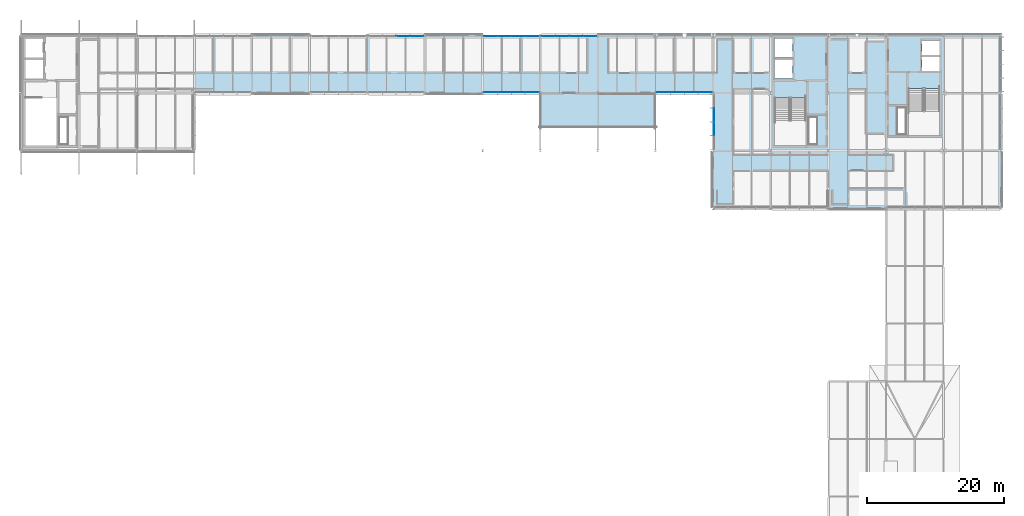
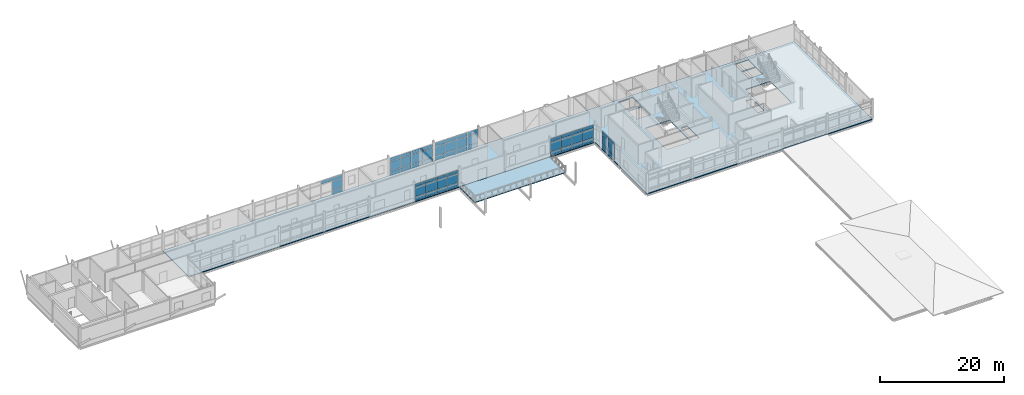
# One storey, part 43 of 57: 58 plates, 2 slabs, 6 elements without a shape of their own.
"""IFC4 building model written with IfcOpenShell, lengths in metres."""

from ifc_helpers import new_model, si_unit, direction, frame, origin, origin_2d, place, context, subcontext, project, spatial, polyline, rectangle, outline, extrude, material, layer, layer_set, type_object, element, aggregate, save


model = new_model("IFC4")

# Units and contexts
model_context = context("Model", 3, precision=1e-05, world=origin(), true_north=direction((0.0, 1.0)))
body_context = subcontext(model_context, "Body", "Model", "MODEL_VIEW")
ifc_project = project(units=[si_unit("LENGTHUNIT", "METRE"), si_unit("AREAUNIT", "SQUARE_METRE"), si_unit("VOLUMEUNIT", "CUBIC_METRE"), si_unit("PLANEANGLEUNIT", "RADIAN"), si_unit("MASSUNIT", "GRAM", prefix="KILO")], contexts=[model_context])

# Site, building, storey
site_placement = place(None, origin())
site = spatial("IfcSite", under=ifc_project, at=site_placement, CompositionType="ELEMENT")
building_placement = place(site_placement, origin())
building = spatial("IfcBuilding", under=site, at=building_placement, Name="Mersafa Astral City Hall", CompositionType="ELEMENT")
storey_placement = place(building_placement, frame((0.0, 0.0, 26.10009765625)))
storey = spatial("IfcBuildingStorey", under=building, at=storey_placement, Name="L06", CompositionType="ELEMENT", Elevation=26.10009765625)

# Curtain wall, plates
ifc_material_1 = material(Name="Anodised bronze aluminium framing", Category="aluminium")
curtain_wall_type_1 = type_object("IfcCurtainWallType", Name="ENV-CW-4", PredefinedType="USERDEFINED", material=ifc_material_1)
curtain_wall_1_placement = place(storey_placement, origin())
curtain_wall_1 = element("IfcCurtainWall", 1, at=curtain_wall_1_placement, inside=storey, type_object=curtain_wall_type_1, Name="L06 Unitised solar curtain wall 249", ObjectType="UNITISED CURTAIN WALL", PredefinedType="USERDEFINED")
ifc_material_2 = material(Name="Solar control low-e double glazing", Category="glass")
ifc_layer_1 = layer(ifc_material_2, 0.031982421875, Name="Solar control low-e double glazing")
ifc_layer_set_1 = layer_set([ifc_layer_1], Name="Solar control low-e double glazing — ENV-CW-PNL-GLZ-2")
plate_type_1 = type_object("IfcPlateType", Name="ENV-CW-PNL-GLZ-2", PredefinedType="CURTAIN_PANEL", material=ifc_layer_set_1)
plate_1_placement = place(storey_placement, frame((135.58642578125, 117.719970703125, 0.05810546875), z_axis=(0.0, 0.0, 1.0), x_axis=(1.0, 0.0, 0.0)))
plate_1 = element("IfcPlate", 2, at=plate_1_placement, type_object=plate_type_1, Name="CW-4 panel 1.1", PredefinedType="CURTAIN_PANEL", context=body_context, shape_type="SweptSolid", body=[
    extrude(rectangle(XDim=1.928955078125, YDim=0.031982421875, at=origin_2d()), origin(), (0.0, 0.0, 1.0), 0.761962890625),
])
plate_2_placement = place(storey_placement, frame((135.58642578125, 117.719970703125, 0.8798828125), z_axis=(0.0, 0.0, 1.0), x_axis=(1.0, 0.0, 0.0)))
plate_2 = element("IfcPlate", 3, at=plate_2_placement, type_object=plate_type_1, Name="CW-4 panel 1.2", PredefinedType="CURTAIN_PANEL", context=body_context, shape_type="SweptSolid", body=[
    extrude(rectangle(XDim=1.928955078125, YDim=0.031982421875, at=origin_2d()), origin(), (0.0, 0.0, 1.0), 1.840087890625),
])
plate_3_placement = place(storey_placement, frame((135.58642578125, 117.719970703125, 2.77978515625), z_axis=(0.0, 0.0, 1.0), x_axis=(1.0, 0.0, 0.0)))
plate_3 = element("IfcPlate", 4, at=plate_3_placement, type_object=plate_type_1, Name="CW-4 panel 1.3", PredefinedType="CURTAIN_PANEL", context=body_context, shape_type="SweptSolid", body=[
    extrude(rectangle(XDim=1.928955078125, YDim=0.031982421875, at=origin_2d()), origin(), (0.0, 0.0, 1.0), 0.592041015625),
])
plate_4_placement = place(storey_placement, frame((137.590576171875, 117.719970703125, 0.05810546875), z_axis=(0.0, 0.0, 1.0), x_axis=(1.0, 0.0, 0.0)))
plate_4 = element("IfcPlate", 5, at=plate_4_placement, type_object=plate_type_1, Name="CW-4 panel 2.1", PredefinedType="CURTAIN_PANEL", context=body_context, shape_type="SweptSolid", body=[
    extrude(rectangle(XDim=1.958984375, YDim=0.031982421875, at=origin_2d()), origin(), (0.0, 0.0, 1.0), 0.761962890625),
])
plate_5_placement = place(storey_placement, frame((137.590576171875, 117.719970703125, 0.8798828125), z_axis=(0.0, 0.0, 1.0), x_axis=(1.0, 0.0, 0.0)))
plate_5 = element("IfcPlate", 6, at=plate_5_placement, type_object=plate_type_1, Name="CW-4 panel 2.2", PredefinedType="CURTAIN_PANEL", context=body_context, shape_type="SweptSolid", body=[
    extrude(rectangle(XDim=1.958984375, YDim=0.031982421875, at=origin_2d()), origin(), (0.0, 0.0, 1.0), 1.840087890625),
])
plate_6_placement = place(storey_placement, frame((137.590576171875, 117.719970703125, 2.77978515625), z_axis=(0.0, 0.0, 1.0), x_axis=(1.0, 0.0, 0.0)))
plate_6 = element("IfcPlate", 7, at=plate_6_placement, type_object=plate_type_1, Name="CW-4 panel 2.3", PredefinedType="CURTAIN_PANEL", context=body_context, shape_type="SweptSolid", body=[
    extrude(rectangle(XDim=1.958984375, YDim=0.031982421875, at=origin_2d()), origin(), (0.0, 0.0, 1.0), 0.592041015625),
])
plate_7_placement = place(storey_placement, frame((139.609619140625, 117.719970703125, 0.05810546875), z_axis=(0.0, 0.0, 1.0), x_axis=(1.0, 0.0, 0.0)))
plate_7 = element("IfcPlate", 8, at=plate_7_placement, type_object=plate_type_1, Name="CW-4 panel 3.1", PredefinedType="CURTAIN_PANEL", context=body_context, shape_type="SweptSolid", body=[
    extrude(rectangle(XDim=1.958984375, YDim=0.031982421875, at=origin_2d()), origin(), (0.0, 0.0, 1.0), 0.761962890625),
])
plate_8_placement = place(storey_placement, frame((139.609619140625, 117.719970703125, 0.8798828125), z_axis=(0.0, 0.0, 1.0), x_axis=(1.0, 0.0, 0.0)))
plate_8 = element("IfcPlate", 9, at=plate_8_placement, type_object=plate_type_1, Name="CW-4 panel 3.2", PredefinedType="CURTAIN_PANEL", context=body_context, shape_type="SweptSolid", body=[
    extrude(rectangle(XDim=1.958984375, YDim=0.031982421875, at=origin_2d()), origin(), (0.0, 0.0, 1.0), 1.840087890625),
])
plate_9_placement = place(storey_placement, frame((139.609619140625, 117.719970703125, 2.77978515625), z_axis=(0.0, 0.0, 1.0), x_axis=(1.0, 0.0, 0.0)))
plate_9 = element("IfcPlate", 10, at=plate_9_placement, type_object=plate_type_1, Name="CW-4 panel 3.3", PredefinedType="CURTAIN_PANEL", context=body_context, shape_type="SweptSolid", body=[
    extrude(rectangle(XDim=1.958984375, YDim=0.031982421875, at=origin_2d()), origin(), (0.0, 0.0, 1.0), 0.592041015625),
])
plate_10_placement = place(storey_placement, frame((141.613525390625, 117.719970703125, 0.05810546875), z_axis=(0.0, 0.0, 1.0), x_axis=(1.0, 0.0, 0.0)))
plate_10 = element("IfcPlate", 11, at=plate_10_placement, type_object=plate_type_1, Name="CW-4 panel 4.1", PredefinedType="CURTAIN_PANEL", context=body_context, shape_type="SweptSolid", body=[
    extrude(rectangle(XDim=1.928955078125, YDim=0.031982421875, at=origin_2d()), origin(), (0.0, 0.0, 1.0), 0.761962890625),
])
plate_11_placement = place(storey_placement, frame((141.613525390625, 117.719970703125, 0.8798828125), z_axis=(0.0, 0.0, 1.0), x_axis=(1.0, 0.0, 0.0)))
plate_11 = element("IfcPlate", 12, at=plate_11_placement, type_object=plate_type_1, Name="CW-4 panel 4.2", PredefinedType="CURTAIN_PANEL", context=body_context, shape_type="SweptSolid", body=[
    extrude(rectangle(XDim=1.928955078125, YDim=0.031982421875, at=origin_2d()), origin(), (0.0, 0.0, 1.0), 1.840087890625),
])
plate_12_placement = place(storey_placement, frame((141.613525390625, 117.719970703125, 2.77978515625), z_axis=(0.0, 0.0, 1.0), x_axis=(1.0, 0.0, 0.0)))
plate_12 = element("IfcPlate", 13, at=plate_12_placement, type_object=plate_type_1, Name="CW-4 panel 4.3", PredefinedType="CURTAIN_PANEL", context=body_context, shape_type="SweptSolid", body=[
    extrude(rectangle(XDim=1.928955078125, YDim=0.031982421875, at=origin_2d()), origin(), (0.0, 0.0, 1.0), 0.592041015625),
])
aggregate(curtain_wall_1, [plate_1, plate_2, plate_3, plate_4, plate_5, plate_6, plate_7, plate_8, plate_9, plate_10, plate_11, plate_12])

curtain_wall_type_2 = type_object("IfcCurtainWallType", Name="ENV-CW-6", PredefinedType="USERDEFINED", material=ifc_material_1)
curtain_wall_2_placement = place(storey_placement, origin())
curtain_wall_2 = element("IfcCurtainWall", 14, at=curtain_wall_2_placement, inside=storey, type_object=curtain_wall_type_2, Name="L06 Unitised solar curtain wall 257", ObjectType="UNITISED CURTAIN WALL", PredefinedType="USERDEFINED")
plate_13_placement = place(storey_placement, frame((124.8134765625, 125.8798828125, 0.05810546875), z_axis=(0.0, 0.0, 1.0), x_axis=(-1.0, 0.0, 0.0)))
plate_13 = element("IfcPlate", 15, at=plate_13_placement, type_object=plate_type_1, Name="CW-6 panel 1.1", PredefinedType="CURTAIN_PANEL", context=body_context, shape_type="SweptSolid", body=[
    extrude(rectangle(XDim=1.928955078125, YDim=0.031982421875, at=origin_2d()), origin(), (0.0, 0.0, 1.0), 0.761962890625),
])
plate_14_placement = place(storey_placement, frame((124.8134765625, 125.8798828125, 0.8798828125), z_axis=(0.0, 0.0, 1.0), x_axis=(-1.0, 0.0, 0.0)))
plate_14 = element("IfcPlate", 16, at=plate_14_placement, type_object=plate_type_1, Name="CW-6 panel 1.2", PredefinedType="CURTAIN_PANEL", context=body_context, shape_type="SweptSolid", body=[
    extrude(rectangle(XDim=1.928955078125, YDim=0.031982421875, at=origin_2d()), origin(), (0.0, 0.0, 1.0), 1.840087890625),
])
plate_15_placement = place(storey_placement, frame((124.8134765625, 125.8798828125, 2.77978515625), z_axis=(0.0, 0.0, 1.0), x_axis=(-1.0, 0.0, 0.0)))
plate_15 = element("IfcPlate", 17, at=plate_15_placement, type_object=plate_type_1, Name="CW-6 panel 1.3", PredefinedType="CURTAIN_PANEL", context=body_context, shape_type="SweptSolid", body=[
    extrude(rectangle(XDim=1.928955078125, YDim=0.031982421875, at=origin_2d()), origin(), (0.0, 0.0, 1.0), 0.701904296875),
])
plate_16_placement = place(storey_placement, frame((122.8095703125, 125.8798828125, 0.05810546875), z_axis=(0.0, 0.0, 1.0), x_axis=(-1.0, 0.0, 0.0)))
plate_16 = element("IfcPlate", 18, at=plate_16_placement, type_object=plate_type_1, Name="CW-6 panel 2.1", PredefinedType="CURTAIN_PANEL", context=body_context, shape_type="SweptSolid", body=[
    extrude(rectangle(XDim=1.958984375, YDim=0.031982421875, at=origin_2d()), origin(), (0.0, 0.0, 1.0), 0.761962890625),
])
plate_17_placement = place(storey_placement, frame((122.8095703125, 125.8798828125, 0.8798828125), z_axis=(0.0, 0.0, 1.0), x_axis=(-1.0, 0.0, 0.0)))
plate_17 = element("IfcPlate", 19, at=plate_17_placement, type_object=plate_type_1, Name="CW-6 panel 2.2", PredefinedType="CURTAIN_PANEL", context=body_context, shape_type="SweptSolid", body=[
    extrude(rectangle(XDim=1.958984375, YDim=0.031982421875, at=origin_2d()), origin(), (0.0, 0.0, 1.0), 1.840087890625),
])
plate_18_placement = place(storey_placement, frame((122.8095703125, 125.8798828125, 2.77978515625), z_axis=(0.0, 0.0, 1.0), x_axis=(-1.0, 0.0, 0.0)))
plate_18 = element("IfcPlate", 20, at=plate_18_placement, type_object=plate_type_1, Name="CW-6 panel 2.3", PredefinedType="CURTAIN_PANEL", context=body_context, shape_type="SweptSolid", body=[
    extrude(rectangle(XDim=1.958984375, YDim=0.031982421875, at=origin_2d()), origin(), (0.0, 0.0, 1.0), 0.701904296875),
])
plate_19_placement = place(storey_placement, frame((120.79052734375, 125.8798828125, 0.05810546875), z_axis=(0.0, 0.0, 1.0), x_axis=(-1.0, 0.0, 0.0)))
plate_19 = element("IfcPlate", 21, at=plate_19_placement, type_object=plate_type_1, Name="CW-6 panel 3.1", PredefinedType="CURTAIN_PANEL", context=body_context, shape_type="SweptSolid", body=[
    extrude(rectangle(XDim=1.958984375, YDim=0.031982421875, at=origin_2d()), origin(), (0.0, 0.0, 1.0), 0.761962890625),
])
plate_20_placement = place(storey_placement, frame((120.79052734375, 125.8798828125, 0.8798828125), z_axis=(0.0, 0.0, 1.0), x_axis=(-1.0, 0.0, 0.0)))
plate_20 = element("IfcPlate", 22, at=plate_20_placement, type_object=plate_type_1, Name="CW-6 panel 3.2", PredefinedType="CURTAIN_PANEL", context=body_context, shape_type="SweptSolid", body=[
    extrude(rectangle(XDim=1.958984375, YDim=0.031982421875, at=origin_2d()), origin(), (0.0, 0.0, 1.0), 1.840087890625),
])
plate_21_placement = place(storey_placement, frame((120.79052734375, 125.8798828125, 2.77978515625), z_axis=(0.0, 0.0, 1.0), x_axis=(-1.0, 0.0, 0.0)))
plate_21 = element("IfcPlate", 23, at=plate_21_placement, type_object=plate_type_1, Name="CW-6 panel 3.3", PredefinedType="CURTAIN_PANEL", context=body_context, shape_type="SweptSolid", body=[
    extrude(rectangle(XDim=1.958984375, YDim=0.031982421875, at=origin_2d()), origin(), (0.0, 0.0, 1.0), 0.701904296875),
])
plate_22_placement = place(storey_placement, frame((118.78662109375, 125.8798828125, 0.05810546875), z_axis=(0.0, 0.0, 1.0), x_axis=(-1.0, 0.0, 0.0)))
plate_22 = element("IfcPlate", 24, at=plate_22_placement, type_object=plate_type_1, Name="CW-6 panel 4.1", PredefinedType="CURTAIN_PANEL", context=body_context, shape_type="SweptSolid", body=[
    extrude(rectangle(XDim=1.928955078125, YDim=0.031982421875, at=origin_2d()), origin(), (0.0, 0.0, 1.0), 0.761962890625),
])
plate_23_placement = place(storey_placement, frame((118.78662109375, 125.8798828125, 0.8798828125), z_axis=(0.0, 0.0, 1.0), x_axis=(-1.0, 0.0, 0.0)))
plate_23 = element("IfcPlate", 25, at=plate_23_placement, type_object=plate_type_1, Name="CW-6 panel 4.2", PredefinedType="CURTAIN_PANEL", context=body_context, shape_type="SweptSolid", body=[
    extrude(rectangle(XDim=1.928955078125, YDim=0.031982421875, at=origin_2d()), origin(), (0.0, 0.0, 1.0), 1.840087890625),
])
plate_24_placement = place(storey_placement, frame((118.78662109375, 125.8798828125, 2.77978515625), z_axis=(0.0, 0.0, 1.0), x_axis=(-1.0, 0.0, 0.0)))
plate_24 = element("IfcPlate", 26, at=plate_24_placement, type_object=plate_type_1, Name="CW-6 panel 4.3", PredefinedType="CURTAIN_PANEL", context=body_context, shape_type="SweptSolid", body=[
    extrude(rectangle(XDim=1.928955078125, YDim=0.031982421875, at=origin_2d()), origin(), (0.0, 0.0, 1.0), 0.701904296875),
])
aggregate(curtain_wall_2, [plate_13, plate_14, plate_15, plate_16, plate_17, plate_18, plate_19, plate_20, plate_21, plate_22, plate_23, plate_24])

curtain_wall_type_3 = type_object("IfcCurtainWallType", Name="ENV-CW-5", PredefinedType="USERDEFINED", material=ifc_material_1)
curtain_wall_3_placement = place(storey_placement, origin())
curtain_wall_3 = element("IfcCurtainWall", 27, at=curtain_wall_3_placement, inside=storey, type_object=curtain_wall_type_3, Name="L06 Unitised solar curtain wall 250", ObjectType="UNITISED CURTAIN WALL", PredefinedType="USERDEFINED")
ifc_layer_2 = layer(ifc_material_2, 0.035888671875, Name="Solar control low-e double glazing")
ifc_layer_set_2 = layer_set([ifc_layer_2], Name="Solar control low-e double glazing — ENV-CW-PNL-GLZ-3")
plate_type_2 = type_object("IfcPlateType", Name="ENV-CW-PNL-GLZ-3", PredefinedType="CURTAIN_PANEL", material=ifc_layer_set_2)
plate_25_placement = place(storey_placement, frame((142.919921875, 114.408203125, 0.05810546875), z_axis=(0.0, 0.0, 1.0), x_axis=(0.0, -1.0, 0.0)))
plate_25 = element("IfcPlate", 28, at=plate_25_placement, type_object=plate_type_2, Name="CW-5 panel 2.1", PredefinedType="CURTAIN_PANEL", context=body_context, shape_type="SweptSolid", body=[
    extrude(rectangle(XDim=1.946533203125, YDim=0.035888671875, at=origin_2d()), origin(), (0.0, 0.0, 1.0), 0.761962890625),
])
plate_26_placement = place(storey_placement, frame((142.919921875, 114.408203125, 0.8798828125), z_axis=(0.0, 0.0, 1.0), x_axis=(0.0, -1.0, 0.0)))
plate_26 = element("IfcPlate", 29, at=plate_26_placement, type_object=plate_type_2, Name="CW-5 panel 2.2", PredefinedType="CURTAIN_PANEL", context=body_context, shape_type="SweptSolid", body=[
    extrude(rectangle(XDim=1.946533203125, YDim=0.035888671875, at=origin_2d()), origin(), (0.0, 0.0, 1.0), 1.840087890625),
])
plate_27_placement = place(storey_placement, frame((142.919921875, 114.408203125, 2.77978515625), z_axis=(0.0, 0.0, 1.0), x_axis=(0.0, -1.0, 0.0)))
plate_27 = element("IfcPlate", 30, at=plate_27_placement, type_object=plate_type_2, Name="CW-5 panel 2.3", PredefinedType="CURTAIN_PANEL", context=body_context, shape_type="SweptSolid", body=[
    extrude(rectangle(XDim=1.946533203125, YDim=0.035888671875, at=origin_2d()), origin(), (0.0, 0.0, 1.0), 0.681884765625),
])
plate_28_placement = place(storey_placement, frame((142.919921875, 112.40185546875, 0.05810546875), z_axis=(0.0, 0.0, 1.0), x_axis=(0.0, -1.0, 0.0)))
plate_28 = element("IfcPlate", 31, at=plate_28_placement, type_object=plate_type_2, Name="CW-5 panel 3.1", PredefinedType="CURTAIN_PANEL", context=body_context, shape_type="SweptSolid", body=[
    extrude(rectangle(XDim=1.946533203125, YDim=0.035888671875, at=origin_2d()), origin(), (0.0, 0.0, 1.0), 0.761962890625),
])
plate_29_placement = place(storey_placement, frame((142.919921875, 112.40185546875, 0.8798828125), z_axis=(0.0, 0.0, 1.0), x_axis=(0.0, -1.0, 0.0)))
plate_29 = element("IfcPlate", 32, at=plate_29_placement, type_object=plate_type_2, Name="CW-5 panel 3.2", PredefinedType="CURTAIN_PANEL", context=body_context, shape_type="SweptSolid", body=[
    extrude(rectangle(XDim=1.946533203125, YDim=0.035888671875, at=origin_2d()), origin(), (0.0, 0.0, 1.0), 1.840087890625),
])
plate_30_placement = place(storey_placement, frame((142.919921875, 112.40185546875, 2.77978515625), z_axis=(0.0, 0.0, 1.0), x_axis=(0.0, -1.0, 0.0)))
plate_30 = element("IfcPlate", 33, at=plate_30_placement, type_object=plate_type_2, Name="CW-5 panel 3.3", PredefinedType="CURTAIN_PANEL", context=body_context, shape_type="SweptSolid", body=[
    extrude(rectangle(XDim=1.946533203125, YDim=0.035888671875, at=origin_2d()), origin(), (0.0, 0.0, 1.0), 0.681884765625),
])
aggregate(curtain_wall_3, [plate_25, plate_26, plate_27, plate_28, plate_29, plate_30])

curtain_wall_type_4 = type_object("IfcCurtainWallType", Name="ENV-CW-1", PredefinedType="USERDEFINED", material=ifc_material_1)
curtain_wall_4_placement = place(storey_placement, origin())
curtain_wall_4 = element("IfcCurtainWall", 34, at=curtain_wall_4_placement, inside=storey, type_object=curtain_wall_type_4, Name="L06 Unitised solar curtain wall 258", ObjectType="UNITISED CURTAIN WALL", PredefinedType="USERDEFINED")
plate_31_placement = place(storey_placement, frame((116.41357421875, 125.8798828125, 0.05810546875), z_axis=(0.0, 0.0, 1.0), x_axis=(-1.0, 0.0, 0.0)))
plate_31 = element("IfcPlate", 35, at=plate_31_placement, type_object=plate_type_2, Name="CW-1 panel 1.1", PredefinedType="CURTAIN_PANEL", context=body_context, shape_type="SweptSolid", body=[
    extrude(rectangle(XDim=1.928955078125, YDim=0.035888671875, at=origin_2d()), origin(), (0.0, 0.0, 1.0), 0.761962890625),
])
plate_32_placement = place(storey_placement, frame((116.41357421875, 125.8798828125, 0.8798828125), z_axis=(0.0, 0.0, 1.0), x_axis=(-1.0, 0.0, 0.0)))
plate_32 = element("IfcPlate", 36, at=plate_32_placement, type_object=plate_type_2, Name="CW-1 panel 1.2", PredefinedType="CURTAIN_PANEL", context=body_context, shape_type="SweptSolid", body=[
    extrude(rectangle(XDim=1.928955078125, YDim=0.035888671875, at=origin_2d()), origin(), (0.0, 0.0, 1.0), 1.840087890625),
])
plate_33_placement = place(storey_placement, frame((116.41357421875, 125.8798828125, 2.77978515625), z_axis=(0.0, 0.0, 1.0), x_axis=(-1.0, 0.0, 0.0)))
plate_33 = element("IfcPlate", 37, at=plate_33_placement, type_object=plate_type_2, Name="CW-1 panel 1.3", PredefinedType="CURTAIN_PANEL", context=body_context, shape_type="SweptSolid", body=[
    extrude(rectangle(XDim=1.928955078125, YDim=0.035888671875, at=origin_2d()), origin(), (0.0, 0.0, 1.0), 0.672119140625),
])
plate_34_placement = place(storey_placement, frame((114.409423828125, 125.8798828125, 0.05810546875), z_axis=(0.0, 0.0, 1.0), x_axis=(-1.0, 0.0, 0.0)))
plate_34 = element("IfcPlate", 38, at=plate_34_placement, type_object=plate_type_2, Name="CW-1 panel 2.1", PredefinedType="CURTAIN_PANEL", context=body_context, shape_type="SweptSolid", body=[
    extrude(rectangle(XDim=1.958984375, YDim=0.035888671875, at=origin_2d()), origin(), (0.0, 0.0, 1.0), 0.761962890625),
])
plate_35_placement = place(storey_placement, frame((114.409423828125, 125.8798828125, 0.8798828125), z_axis=(0.0, 0.0, 1.0), x_axis=(-1.0, 0.0, 0.0)))
plate_35 = element("IfcPlate", 39, at=plate_35_placement, type_object=plate_type_2, Name="CW-1 panel 2.2", PredefinedType="CURTAIN_PANEL", context=body_context, shape_type="SweptSolid", body=[
    extrude(rectangle(XDim=1.958984375, YDim=0.035888671875, at=origin_2d()), origin(), (0.0, 0.0, 1.0), 1.840087890625),
])
plate_36_placement = place(storey_placement, frame((114.409423828125, 125.8798828125, 2.77978515625), z_axis=(0.0, 0.0, 1.0), x_axis=(-1.0, 0.0, 0.0)))
plate_36 = element("IfcPlate", 40, at=plate_36_placement, type_object=plate_type_2, Name="CW-1 panel 2.3", PredefinedType="CURTAIN_PANEL", context=body_context, shape_type="SweptSolid", body=[
    extrude(rectangle(XDim=1.958984375, YDim=0.035888671875, at=origin_2d()), origin(), (0.0, 0.0, 1.0), 0.672119140625),
])
plate_37_placement = place(storey_placement, frame((112.390380859375, 125.8798828125, 0.05810546875), z_axis=(0.0, 0.0, 1.0), x_axis=(-1.0, 0.0, 0.0)))
plate_37 = element("IfcPlate", 41, at=plate_37_placement, type_object=plate_type_2, Name="CW-1 panel 3.1", PredefinedType="CURTAIN_PANEL", context=body_context, shape_type="SweptSolid", body=[
    extrude(rectangle(XDim=1.958984375, YDim=0.035888671875, at=origin_2d()), origin(), (0.0, 0.0, 1.0), 0.761962890625),
])
plate_38_placement = place(storey_placement, frame((112.390380859375, 125.8798828125, 0.8798828125), z_axis=(0.0, 0.0, 1.0), x_axis=(-1.0, 0.0, 0.0)))
plate_38 = element("IfcPlate", 42, at=plate_38_placement, type_object=plate_type_2, Name="CW-1 panel 3.2", PredefinedType="CURTAIN_PANEL", context=body_context, shape_type="SweptSolid", body=[
    extrude(rectangle(XDim=1.958984375, YDim=0.035888671875, at=origin_2d()), origin(), (0.0, 0.0, 1.0), 1.840087890625),
])
plate_39_placement = place(storey_placement, frame((112.390380859375, 125.8798828125, 2.77978515625), z_axis=(0.0, 0.0, 1.0), x_axis=(-1.0, 0.0, 0.0)))
plate_39 = element("IfcPlate", 43, at=plate_39_placement, type_object=plate_type_2, Name="CW-1 panel 3.3", PredefinedType="CURTAIN_PANEL", context=body_context, shape_type="SweptSolid", body=[
    extrude(rectangle(XDim=1.958984375, YDim=0.035888671875, at=origin_2d()), origin(), (0.0, 0.0, 1.0), 0.672119140625),
])
plate_40_placement = place(storey_placement, frame((110.386474609375, 125.8798828125, 0.05810546875), z_axis=(0.0, 0.0, 1.0), x_axis=(-1.0, 0.0, 0.0)))
plate_40 = element("IfcPlate", 44, at=plate_40_placement, type_object=plate_type_2, Name="CW-1 panel 4.1", PredefinedType="CURTAIN_PANEL", context=body_context, shape_type="SweptSolid", body=[
    extrude(rectangle(XDim=1.928955078125, YDim=0.035888671875, at=origin_2d()), origin(), (0.0, 0.0, 1.0), 0.761962890625),
])
plate_41_placement = place(storey_placement, frame((110.386474609375, 125.8798828125, 0.8798828125), z_axis=(0.0, 0.0, 1.0), x_axis=(-1.0, 0.0, 0.0)))
plate_41 = element("IfcPlate", 45, at=plate_41_placement, type_object=plate_type_2, Name="CW-1 panel 4.2", PredefinedType="CURTAIN_PANEL", context=body_context, shape_type="SweptSolid", body=[
    extrude(rectangle(XDim=1.928955078125, YDim=0.035888671875, at=origin_2d()), origin(), (0.0, 0.0, 1.0), 1.840087890625),
])
plate_42_placement = place(storey_placement, frame((110.386474609375, 125.8798828125, 2.77978515625), z_axis=(0.0, 0.0, 1.0), x_axis=(-1.0, 0.0, 0.0)))
plate_42 = element("IfcPlate", 46, at=plate_42_placement, type_object=plate_type_2, Name="CW-1 panel 4.3", PredefinedType="CURTAIN_PANEL", context=body_context, shape_type="SweptSolid", body=[
    extrude(rectangle(XDim=1.928955078125, YDim=0.035888671875, at=origin_2d()), origin(), (0.0, 0.0, 1.0), 0.672119140625),
])
aggregate(curtain_wall_4, [plate_31, plate_32, plate_33, plate_34, plate_35, plate_36, plate_37, plate_38, plate_39, plate_40, plate_41, plate_42])

curtain_wall_type_5 = type_object("IfcCurtainWallType", Name="ENV-CW-2", PredefinedType="USERDEFINED", material=ifc_material_1)
curtain_wall_5_placement = place(storey_placement, origin())
curtain_wall_5 = element("IfcCurtainWall", 47, at=curtain_wall_5_placement, inside=storey, type_object=curtain_wall_type_5, Name="L06 Unitised solar curtain wall 259", ObjectType="UNITISED CURTAIN WALL", PredefinedType="USERDEFINED")
ifc_layer_3 = layer(ifc_material_2, 0.0400390625, Name="Solar control low-e double glazing")
ifc_layer_set_3 = layer_set([ifc_layer_3], Name="Solar control low-e double glazing — ENV-CW-PNL-GLZ-4")
plate_type_3 = type_object("IfcPlateType", Name="ENV-CW-PNL-GLZ-4", PredefinedType="CURTAIN_PANEL", material=ifc_layer_set_3)
plate_43_placement = place(storey_placement, frame((99.613525390625, 125.8798828125, 0.05810546875), z_axis=(0.0, 0.0, 1.0), x_axis=(-1.0, 0.0, 0.0)))
plate_43 = element("IfcPlate", 48, at=plate_43_placement, type_object=plate_type_3, Name="CW-2 panel 1.1", PredefinedType="CURTAIN_PANEL", context=body_context, shape_type="SweptSolid", body=[
    extrude(rectangle(XDim=1.928955078125, YDim=0.0400390625, at=origin_2d()), origin(), (0.0, 0.0, 1.0), 0.761962890625),
])
plate_44_placement = place(storey_placement, frame((99.613525390625, 125.8798828125, 0.8798828125), z_axis=(0.0, 0.0, 1.0), x_axis=(-1.0, 0.0, 0.0)))
plate_44 = element("IfcPlate", 49, at=plate_44_placement, type_object=plate_type_3, Name="CW-2 panel 1.2", PredefinedType="CURTAIN_PANEL", context=body_context, shape_type="SweptSolid", body=[
    extrude(rectangle(XDim=1.928955078125, YDim=0.0400390625, at=origin_2d()), origin(), (0.0, 0.0, 1.0), 1.840087890625),
])
plate_45_placement = place(storey_placement, frame((99.613525390625, 125.8798828125, 2.780029296875), z_axis=(0.0, 0.0, 1.0), x_axis=(-1.0, 0.0, 0.0)))
plate_45 = element("IfcPlate", 50, at=plate_45_placement, type_object=plate_type_3, Name="CW-2 panel 1.3", PredefinedType="CURTAIN_PANEL", context=body_context, shape_type="SweptSolid", body=[
    extrude(rectangle(XDim=1.928955078125, YDim=0.0400390625, at=origin_2d()), origin(), (0.0, 0.0, 1.0), 0.64697265625),
])
plate_46_placement = place(storey_placement, frame((97.609619140625, 125.8798828125, 2.780029296875), z_axis=(0.0, 0.0, 1.0), x_axis=(-1.0, 0.0, 0.0)))
plate_46 = element("IfcPlate", 51, at=plate_46_placement, type_object=plate_type_3, Name="CW-2 panel 2.3", PredefinedType="CURTAIN_PANEL", context=body_context, shape_type="SweptSolid", body=[
    extrude(rectangle(XDim=1.958984375, YDim=0.0400390625, at=origin_2d()), origin(), (0.0, 0.0, 1.0), 0.64697265625),
])
aggregate(curtain_wall_5, [plate_43, plate_44, plate_45, plate_46])

curtain_wall_6_placement = place(storey_placement, origin())
curtain_wall_6 = element("IfcCurtainWall", 52, at=curtain_wall_6_placement, inside=storey, type_object=curtain_wall_type_1, Name="L06 Unitised solar curtain wall 267", ObjectType="UNITISED CURTAIN WALL", PredefinedType="USERDEFINED")
plate_47_placement = place(storey_placement, frame((110.386474609375, 117.719970703125, 0.05810546875), z_axis=(0.0, 0.0, 1.0), x_axis=(1.0, 0.0, 0.0)))
plate_47 = element("IfcPlate", 53, at=plate_47_placement, type_object=plate_type_3, Name="CW-4 panel 1.1", PredefinedType="CURTAIN_PANEL", context=body_context, shape_type="SweptSolid", body=[
    extrude(rectangle(XDim=1.928955078125, YDim=0.0400390625, at=origin_2d()), origin(), (0.0, 0.0, 1.0), 0.761962890625),
])
plate_48_placement = place(storey_placement, frame((110.386474609375, 117.719970703125, 0.8798828125), z_axis=(0.0, 0.0, 1.0), x_axis=(1.0, 0.0, 0.0)))
plate_48 = element("IfcPlate", 54, at=plate_48_placement, type_object=plate_type_3, Name="CW-4 panel 1.2", PredefinedType="CURTAIN_PANEL", context=body_context, shape_type="SweptSolid", body=[
    extrude(rectangle(XDim=1.928955078125, YDim=0.0400390625, at=origin_2d()), origin(), (0.0, 0.0, 1.0), 1.840087890625),
])
plate_49_placement = place(storey_placement, frame((110.386474609375, 117.719970703125, 2.780029296875), z_axis=(0.0, 0.0, 1.0), x_axis=(1.0, 0.0, 0.0)))
plate_49 = element("IfcPlate", 55, at=plate_49_placement, type_object=plate_type_3, Name="CW-4 panel 1.3", PredefinedType="CURTAIN_PANEL", context=body_context, shape_type="SweptSolid", body=[
    extrude(rectangle(XDim=1.928955078125, YDim=0.0400390625, at=origin_2d()), origin(), (0.0, 0.0, 1.0), 0.48193359375),
])
plate_50_placement = place(storey_placement, frame((112.390380859375, 117.719970703125, 0.05810546875), z_axis=(0.0, 0.0, 1.0), x_axis=(1.0, 0.0, 0.0)))
plate_50 = element("IfcPlate", 56, at=plate_50_placement, type_object=plate_type_3, Name="CW-4 panel 2.1", PredefinedType="CURTAIN_PANEL", context=body_context, shape_type="SweptSolid", body=[
    extrude(rectangle(XDim=1.958984375, YDim=0.0400390625, at=origin_2d()), origin(), (0.0, 0.0, 1.0), 0.761962890625),
])
plate_51_placement = place(storey_placement, frame((112.390380859375, 117.719970703125, 0.8798828125), z_axis=(0.0, 0.0, 1.0), x_axis=(1.0, 0.0, 0.0)))
plate_51 = element("IfcPlate", 57, at=plate_51_placement, type_object=plate_type_3, Name="CW-4 panel 2.2", PredefinedType="CURTAIN_PANEL", context=body_context, shape_type="SweptSolid", body=[
    extrude(rectangle(XDim=1.958984375, YDim=0.0400390625, at=origin_2d()), origin(), (0.0, 0.0, 1.0), 1.840087890625),
])
plate_52_placement = place(storey_placement, frame((112.390380859375, 117.719970703125, 2.780029296875), z_axis=(0.0, 0.0, 1.0), x_axis=(1.0, 0.0, 0.0)))
plate_52 = element("IfcPlate", 58, at=plate_52_placement, type_object=plate_type_3, Name="CW-4 panel 2.3", PredefinedType="CURTAIN_PANEL", context=body_context, shape_type="SweptSolid", body=[
    extrude(rectangle(XDim=1.958984375, YDim=0.0400390625, at=origin_2d()), origin(), (0.0, 0.0, 1.0), 0.48193359375),
])
plate_53_placement = place(storey_placement, frame((114.409423828125, 117.719970703125, 0.05810546875), z_axis=(0.0, 0.0, 1.0), x_axis=(1.0, 0.0, 0.0)))
plate_53 = element("IfcPlate", 59, at=plate_53_placement, type_object=plate_type_3, Name="CW-4 panel 3.1", PredefinedType="CURTAIN_PANEL", context=body_context, shape_type="SweptSolid", body=[
    extrude(rectangle(XDim=1.958984375, YDim=0.0400390625, at=origin_2d()), origin(), (0.0, 0.0, 1.0), 0.761962890625),
])
plate_54_placement = place(storey_placement, frame((114.409423828125, 117.719970703125, 0.8798828125), z_axis=(0.0, 0.0, 1.0), x_axis=(1.0, 0.0, 0.0)))
plate_54 = element("IfcPlate", 60, at=plate_54_placement, type_object=plate_type_3, Name="CW-4 panel 3.2", PredefinedType="CURTAIN_PANEL", context=body_context, shape_type="SweptSolid", body=[
    extrude(rectangle(XDim=1.958984375, YDim=0.0400390625, at=origin_2d()), origin(), (0.0, 0.0, 1.0), 1.840087890625),
])
plate_55_placement = place(storey_placement, frame((114.409423828125, 117.719970703125, 2.780029296875), z_axis=(0.0, 0.0, 1.0), x_axis=(1.0, 0.0, 0.0)))
plate_55 = element("IfcPlate", 61, at=plate_55_placement, type_object=plate_type_3, Name="CW-4 panel 3.3", PredefinedType="CURTAIN_PANEL", context=body_context, shape_type="SweptSolid", body=[
    extrude(rectangle(XDim=1.958984375, YDim=0.0400390625, at=origin_2d()), origin(), (0.0, 0.0, 1.0), 0.48193359375),
])
plate_56_placement = place(storey_placement, frame((116.41357421875, 117.719970703125, 0.05810546875), z_axis=(0.0, 0.0, 1.0), x_axis=(1.0, 0.0, 0.0)))
plate_56 = element("IfcPlate", 62, at=plate_56_placement, type_object=plate_type_3, Name="CW-4 panel 4.1", PredefinedType="CURTAIN_PANEL", context=body_context, shape_type="SweptSolid", body=[
    extrude(rectangle(XDim=1.928955078125, YDim=0.0400390625, at=origin_2d()), origin(), (0.0, 0.0, 1.0), 0.761962890625),
])
plate_57_placement = place(storey_placement, frame((116.41357421875, 117.719970703125, 0.8798828125), z_axis=(0.0, 0.0, 1.0), x_axis=(1.0, 0.0, 0.0)))
plate_57 = element("IfcPlate", 63, at=plate_57_placement, type_object=plate_type_3, Name="CW-4 panel 4.2", PredefinedType="CURTAIN_PANEL", context=body_context, shape_type="SweptSolid", body=[
    extrude(rectangle(XDim=1.928955078125, YDim=0.0400390625, at=origin_2d()), origin(), (0.0, 0.0, 1.0), 1.840087890625),
])
plate_58_placement = place(storey_placement, frame((116.41357421875, 117.719970703125, 2.780029296875), z_axis=(0.0, 0.0, 1.0), x_axis=(1.0, 0.0, 0.0)))
plate_58 = element("IfcPlate", 64, at=plate_58_placement, type_object=plate_type_3, Name="CW-4 panel 4.3", PredefinedType="CURTAIN_PANEL", context=body_context, shape_type="SweptSolid", body=[
    extrude(rectangle(XDim=1.928955078125, YDim=0.0400390625, at=origin_2d()), origin(), (0.0, 0.0, 1.0), 0.48193359375),
])
aggregate(curtain_wall_6, [plate_47, plate_48, plate_49, plate_50, plate_51, plate_52, plate_53, plate_54, plate_55, plate_56, plate_57, plate_58])

# Slabs
ifc_material_3 = material(Name="Concrete C35/45", Category="concrete")
ifc_layer_4 = layer(ifc_material_3, 0.175048828125, Name="Concrete C35/45")
ifc_layer_set_4 = layer_set([ifc_layer_4], Name="Concrete C35/45 — STR-SLAB-FLR-175")
slab_type_1 = type_object("IfcSlabType", Name="STR-SLAB-FLR-175", PredefinedType="FLOOR", material=ifc_layer_set_4)
slab_1_placement = place(storey_placement, frame((0.0, 0.0, -0.175048828125)))
element("IfcSlab", 65, at=slab_1_placement, inside=storey, type_object=slab_type_1, Name="L06 V6 structural floor slab 1", PredefinedType="FLOOR", context=body_context, shape_type="SweptSolid", body=[
    extrude(outline(polyline([(134.39990234375, 117.60009765625), (126.0, 117.60009765625), (117.60009765625, 117.60009765625), (109.199951171875, 117.60009765625), (100.800048828125, 117.60009765625), (92.39990234375, 117.60009765625), (84.0, 117.60009765625), (75.60009765625, 117.60009765625), (67.199951171875, 117.60009765625), (67.199951171875, 126.0), (75.60009765625, 126.0), (84.0, 126.0), (92.39990234375, 126.0), (100.800048828125, 126.0), (109.199951171875, 126.0), (117.60009765625, 126.0), (126.0, 126.0), (134.39990234375, 126.0), (142.800048828125, 126.0), (151.199951171875, 126.0), (159.60009765625, 126.0), (168.0, 126.0), (176.39990234375, 126.0), (184.800048828125, 126.0), (184.800048828125, 117.60009765625), (184.800048828125, 109.199951171875), (184.800048828125, 100.800048828125), (176.39990234375, 100.800048828125), (168.0, 100.800048828125), (159.60009765625, 100.800048828125), (151.199951171875, 100.800048828125), (142.800048828125, 100.800048828125), (142.800048828125, 109.199951171875), (142.800048828125, 117.60009765625), (134.39990234375, 117.60009765625)]), holes=[polyline([(151.780029296875, 122.449951171875), (151.780029296875, 119.75), (154.3798828125, 119.75), (154.3798828125, 122.449951171875), (151.780029296875, 122.449951171875)]), polyline([(154.3798828125, 125.5), (151.780029296875, 125.5), (151.780029296875, 122.800048828125), (154.3798828125, 122.800048828125), (154.3798828125, 125.5)]), polyline([(156.75, 114.050048828125), (156.75, 110.14990234375), (157.929931640625, 110.14990234375), (157.929931640625, 114.050048828125), (156.75, 114.050048828125)]), polyline([(151.780029296875, 109.949951171875), (156.340087890625, 109.949951171875), (156.340087890625, 116.89990234375), (151.780029296875, 116.89990234375), (151.780029296875, 109.949951171875)]), polyline([(170.85009765625, 115.449951171875), (169.669921875, 115.449951171875), (169.669921875, 111.64990234375), (170.85009765625, 111.64990234375), (170.85009765625, 115.449951171875)]), polyline([(175.820068359375, 111.449951171875), (175.820068359375, 118.260009765625), (171.260009765625, 118.260009765625), (171.260009765625, 111.449951171875), (175.820068359375, 111.449951171875)]), polyline([(175.820068359375, 122.860107421875), (173.219970703125, 122.860107421875), (173.219970703125, 120.679931640625), (175.820068359375, 120.679931640625), (175.820068359375, 122.860107421875)]), polyline([(175.820068359375, 125.260009765625), (173.219970703125, 125.260009765625), (173.219970703125, 123.080078125), (175.820068359375, 123.080078125), (175.820068359375, 125.260009765625)])]), origin(), (0.0, 0.0, 1.0), 0.175048828125),
])
ifc_layer_5 = layer(ifc_material_3, 0.175048828125, Name="Concrete C35/45")
ifc_layer_set_5 = layer_set([ifc_layer_5], Name="Concrete C35/45 — STR-SLAB-TER-175")
slab_type_2 = type_object("IfcSlabType", Name="STR-SLAB-TER-175", PredefinedType="FLOOR", material=ifc_layer_set_5)
slab_2_placement = place(storey_placement, frame((0.0, 0.0, -0.175048828125)))
element("IfcSlab", 66, at=slab_2_placement, inside=storey, type_object=slab_type_2, Name="L06 Stepped outdoor civic terrace slab TER-L06-V6S", PredefinedType="FLOOR", context=body_context, shape_type="SweptSolid", body=[
    extrude(outline(polyline([(134.39990234375, 112.60009765625), (117.60009765625, 112.60009765625), (117.60009765625, 117.592041015625), (134.39990234375, 117.592041015625), (134.39990234375, 112.60009765625)])), origin(), (0.0, 0.0, 1.0), 0.175048828125),
])

save(model, "model.ifc")
